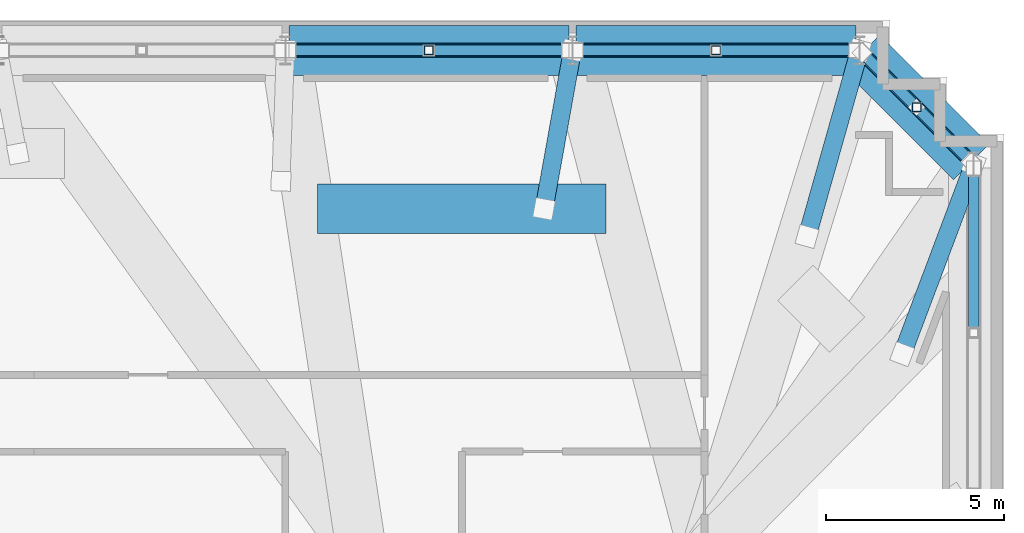
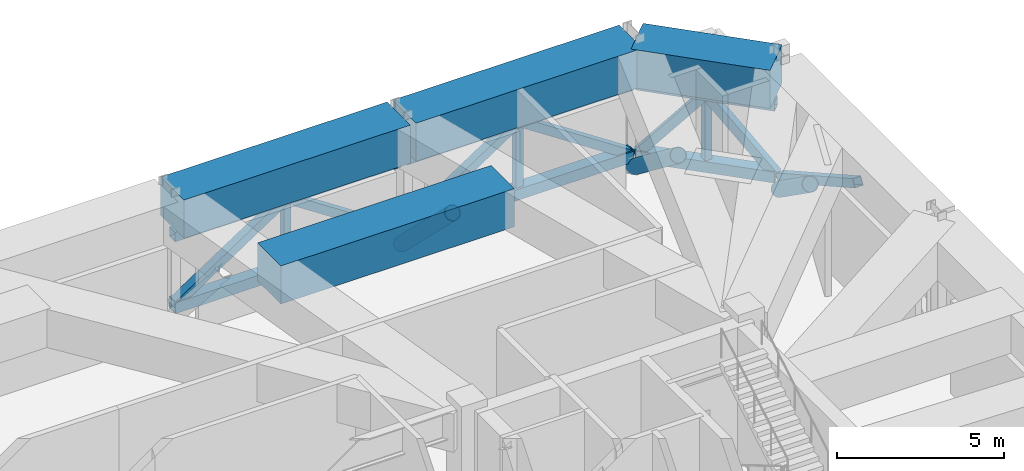
# One storey, part 10 of 18: 19 members, 4 beams.
"""IFC4 building model written with IfcOpenShell, lengths in metres."""

import ifcopenshell
import ifcopenshell.guid

model = None  # the IFC model being written
_history = None  # IfcOwnerHistory: only IFC2X3 demands one
_inside = {}  # id of a spatial element -> (the spatial element, [elements in it])
_under = {}  # id of a project, library or spatial element -> (it, [spatial elements below it])
_declared = {}  # id of a project -> (the project, [libraries it declares])
_typed = {}  # id of a type object -> (the type object, [elements of that type])
_made_of = {}  # id of a material, layer set ... -> (it, [elements and type objects made of it])


def new_model(schema):
    """Start an empty IFC model of exactly this schema.

    Asked for "IFC4X3", IfcOpenShell would pick the latest addendum, in which some entities
    have other attributes; the version numbers below select the first issue.
    IFC2X3 requires an IfcOwnerHistory on every rooted entity: one is made here for all.
    """
    global model, _history
    if schema == "IFC4X3":
        model = ifcopenshell.file(schema_version=(4, 3, 0, 0))
    else:
        model = ifcopenshell.file(schema=schema)
    _inside.clear()
    _under.clear()
    _declared.clear()
    _typed.clear()
    _made_of.clear()
    _history = None
    if model.schema == "IFC2X3":
        org = make("IfcOrganization", Name="unknown")
        user = make(
            "IfcPersonAndOrganization",
            ThePerson=make("IfcPerson", FamilyName="unknown"),
            TheOrganization=org,
        )
        app = make(
            "IfcApplication",
            ApplicationDeveloper=org,
            Version="unknown",
            ApplicationFullName="unknown",
            ApplicationIdentifier="unknown",
        )
        _history = make(
            "IfcOwnerHistory",
            OwningUser=user,
            OwningApplication=app,
            ChangeAction="ADDED",
            CreationDate=0,
        )
    return model


def make(cls, **values):
    """One entity of the class cls with the attributes given. An attribute that is None is left unset."""
    return model.create_entity(
        cls, **{name: value for name, value in values.items() if value is not None}
    )


def rooted(cls, **values):
    """An entity with a GlobalId (a new one), such as an element, a storey or a relation."""
    return make(cls, GlobalId=ifcopenshell.guid.new(), OwnerHistory=_history, **values)


def si_unit(unit_type, name, prefix=None):
    """IfcSIUnit, for example si_unit("LENGTHUNIT", "METRE", prefix="MILLI")."""
    return make("IfcSIUnit", UnitType=unit_type, Prefix=prefix, Name=name)


def assignment(units):
    """IfcUnitAssignment: the units of a project."""
    return None if units is None else make("IfcUnitAssignment", Units=units)


def point(xyz):
    """IfcCartesianPoint."""
    return None if xyz is None else make("IfcCartesianPoint", Coordinates=xyz)


def direction(xyz):
    """IfcDirection."""
    return None if xyz is None else make("IfcDirection", DirectionRatios=xyz)


def frame(location, z_axis=None, x_axis=None):
    """IfcAxis2Placement3D, a coordinate frame: its origin and axes. An axis left out is left unset."""
    return make(
        "IfcAxis2Placement3D",
        Location=point(location),
        Axis=direction(z_axis),
        RefDirection=direction(x_axis),
    )


def frame_2d(location, x_axis=None):
    """IfcAxis2Placement2D, a coordinate frame in the plane: its origin and x axis."""
    return make(
        "IfcAxis2Placement2D", Location=point(location), RefDirection=direction(x_axis)
    )


def origin():
    """The frame at (0, 0, 0) with its axes left unset."""
    return frame((0.0, 0.0, 0.0))


def origin_2d():
    """The frame at (0, 0) in the plane with its x axis left unset."""
    return frame_2d((0.0, 0.0))


def place(relative_to, where):
    """IfcLocalPlacement: puts the frame where relative to a parent placement (None: the world)."""
    return make(
        "IfcLocalPlacement", PlacementRelTo=relative_to, RelativePlacement=where
    )


def context(
    kind, dimensions, precision=None, world=None, true_north=None, identifier=None
):
    """IfcGeometricRepresentationContext, for example the 3D "Model" context."""
    return make(
        "IfcGeometricRepresentationContext",
        ContextIdentifier=identifier,
        ContextType=kind,
        CoordinateSpaceDimension=dimensions,
        Precision=precision,
        WorldCoordinateSystem=world,
        TrueNorth=true_north,
    )


def subcontext(parent, identifier, kind, view, scale=None):
    """IfcGeometricRepresentationSubContext, for example "Body" below "Model"."""
    return make(
        "IfcGeometricRepresentationSubContext",
        ContextIdentifier=identifier,
        ContextType=kind,
        ParentContext=parent,
        TargetScale=scale,
        TargetView=view,
    )


def project(units=None, contexts=None):
    """IfcProject with its units and contexts."""
    return rooted(
        "IfcProject",
        Name="project",
        RepresentationContexts=contexts,
        UnitsInContext=assignment(units),
    )


def spatial(cls, under=None, at=None, **own):
    """A site, building, storey or space (cls), placed at a placement, below another one or the project."""
    s = rooted(cls, ObjectPlacement=at, **own)
    if under is not None:
        _under.setdefault(under.id(), (under, []))[1].append(s)
    return s


def profile(cls, at=None, kind="AREA", **sizes):
    """A parametric profile (cls). Its sizes go by their IFC names, for example OverallWidth=200.0."""
    return make(cls, ProfileType=kind, Position=at, **sizes)


def rectangle(**sizes):
    """IfcRectangleProfileDef."""
    return profile("IfcRectangleProfileDef", **sizes)


def hollow_rectangle(**sizes):
    """IfcRectangleHollowProfileDef."""
    return profile("IfcRectangleHollowProfileDef", **sizes)


def hollow_circle(**sizes):
    """IfcCircleHollowProfileDef."""
    return profile("IfcCircleHollowProfileDef", **sizes)


def extrude(swept, where, along, depth):
    """IfcExtrudedAreaSolid: the profile swept, set in the frame where, extruded along a direction by depth."""
    return make(
        "IfcExtrudedAreaSolid",
        SweptArea=swept,
        Position=where,
        ExtrudedDirection=direction(along),
        Depth=depth,
    )


def shape(context_of_items, identifier, shape_type, items):
    """IfcShapeRepresentation: the items that make up one representation, for example the "Body"."""
    return make(
        "IfcShapeRepresentation",
        ContextOfItems=context_of_items,
        RepresentationIdentifier=identifier,
        RepresentationType=shape_type,
        Items=items,
    )


def material(Name=None, Category=None):
    """IfcMaterial."""
    return make("IfcMaterial", Name=Name, Category=Category)


def material_profile(
    of_material, cross_section, Name=None, Category=None, Priority=None
):
    """IfcMaterialProfile: a cross section and its material."""
    return make(
        "IfcMaterialProfile",
        Name=Name,
        Material=of_material,
        Profile=cross_section,
        Priority=Priority,
        Category=Category,
    )


def profile_set(profiles, Name=None, composite=None):
    """IfcMaterialProfileSet."""
    return make(
        "IfcMaterialProfileSet",
        Name=Name,
        MaterialProfiles=profiles,
        CompositeProfile=composite,
    )


def made_of(thing, what):
    """Note that an element or type object is made of a material, layer set ...; save() writes the relation."""
    if what is not None:
        _made_of.setdefault(what.id(), (what, []))[1].append(thing)
    return thing


def type_object(cls, material=None, **own):
    """A type object (cls), such as IfcWallType, which elements share."""
    return made_of(rooted(cls, **own), material)


def element(
    cls,
    number,
    at=None,
    inside=None,
    cuts=None,
    type_object=None,
    material=None,
    context=None,
    identifier="Body",
    shape_type=None,
    held_by="IfcProductDefinitionShape",
    body=None,
    shapes=None,
    **own,
):
    """One element of the class cls, such as IfcWall. Its Tag is "e" and its number.

    at: its placement. inside: the storey or other place that contains it. cuts: it is an
    opening in that element (IfcRelVoidsElement). A single representation is given by context,
    identifier, shape_type and body (its items); several are given by shapes. held_by: the class
    of the entity that holds the representations. save() writes the other relations.
    """
    e = rooted(cls, Tag="e%d" % number, ObjectPlacement=at, **own)
    if body is not None:
        shapes = [shape(context, identifier, shape_type, body)]
    if shapes is not None:
        e.Representation = make(held_by, Representations=shapes)
    if inside is not None:
        _inside.setdefault(inside.id(), (inside, []))[1].append(e)
    if cuts is not None:
        rooted(
            "IfcRelVoidsElement", RelatingBuildingElement=cuts, RelatedOpeningElement=e
        )
    if type_object is not None:
        _typed.setdefault(type_object.id(), (type_object, []))[1].append(e)
    return made_of(e, material)


def aggregate(whole, parts):
    """IfcRelAggregates: a whole, such as a stair, and the parts it consists of."""
    return rooted("IfcRelAggregates", RelatingObject=whole, RelatedObjects=parts)


def save(model, path):
    """Write the relations noted so far, then the file.

    IfcRelAggregates (storeys below a building ...), IfcRelContainedInSpatialStructure (elements
    in a storey), IfcRelDefinesByType, IfcRelAssociatesMaterial and IfcRelDeclares: one each for
    every whole, place, type object, material and project.
    """
    for whole, parts in _under.values():
        aggregate(whole, parts)
    for where, things in _inside.values():
        rooted(
            "IfcRelContainedInSpatialStructure",
            RelatedElements=things,
            RelatingStructure=where,
        )
    for kind, things in _typed.values():
        rooted("IfcRelDefinesByType", RelatedObjects=things, RelatingType=kind)
    for what, things in _made_of.values():
        rooted("IfcRelAssociatesMaterial", RelatedObjects=things, RelatingMaterial=what)
    for by, libraries in _declared.values():
        rooted("IfcRelDeclares", RelatingContext=by, RelatedDefinitions=libraries)
    model.write(path)


model = new_model("IFC4")

# Units and contexts
model_context = context("Model", 3, precision=1e-05, world=origin(), true_north=direction((0.0, 1.0)))
body_context = subcontext(model_context, "Body", "Model", "MODEL_VIEW")
ifc_project = project(units=[si_unit("LENGTHUNIT", "METRE"), si_unit("AREAUNIT", "SQUARE_METRE"), si_unit("VOLUMEUNIT", "CUBIC_METRE"), si_unit("PLANEANGLEUNIT", "RADIAN"), si_unit("MASSUNIT", "GRAM", prefix="KILO")], contexts=[model_context])

# Site, building, storey
site_placement = place(None, origin())
site = spatial("IfcSite", under=ifc_project, at=site_placement, CompositionType="ELEMENT")
building_placement = place(site_placement, origin())
building = spatial("IfcBuilding", under=site, at=building_placement, Name="Qobustan Lattice House", CompositionType="ELEMENT")
storey_placement = place(building_placement, frame((0.0, 0.0, 174.550048828125)))
storey = spatial("IfcBuildingStorey", under=building, at=storey_placement, Name="L49", CompositionType="ELEMENT", Elevation=174.550048828125)

# Beams
ifc_material_1 = material(Name="Concrete C60/75", Category="concrete")
ifc_material_profile_1 = material_profile(ifc_material_1, rectangle(XDim=1.39990234375, YDim=1.39990234375, at=origin_2d()), Name="RC1400x1400")
ifc_profile_set_1 = profile_set([ifc_material_profile_1], Name="Concrete C60/75")
beam_type = type_object("IfcBeamType", Name="BM-TRG-RC1400", PredefinedType="USERDEFINED", material=ifc_profile_set_1)
beam_1_placement = place(storey_placement, frame((26.279296875, 16.62060546875, 4.119873046875), z_axis=(-0.707106781187, 0.707106781187, 0.0), x_axis=(-0.707106781187, -0.707106781187, 0.0)))
element("IfcBeam", 1, at=beam_1_placement, inside=storey, type_object=beam_type, Name="L49 TT3 lower perimeter transfer girder E4-N1", ObjectType="GIRDER", PredefinedType="USERDEFINED", context=body_context, shape_type="SweptSolid", body=[
    extrude(rectangle(XDim=1.39990234375, YDim=1.39990234375, at=origin_2d()), origin(), (0.0, 0.0, 1.0), 4.325439453125),
])
for number, where, z_axis, x_axis, name in (
    (2, (23.050048828125, 19.75, 4.119873046875), (-1.0, 0.0, 0.0), (0.0, -1.0, 0.0), "L49 TT3 lower perimeter transfer girder N1-N2"),
    (3, (15.0, 19.75, 4.119873046875), (-1.0, 0.0, 0.0), (0.0, -1.0, 0.0), "L49 TT3 lower perimeter transfer girder N2-N3"),
):
    element("IfcBeam", number, at=place(storey_placement, frame(where, z_axis=z_axis, x_axis=x_axis)), inside=storey, type_object=beam_type, Name=name, ObjectType="GIRDER", PredefinedType="USERDEFINED", context=body_context, shape_type="SweptSolid", body=[
        extrude(rectangle(XDim=1.39990234375, YDim=1.39990234375, at=origin_2d()), origin(), (0.0, 0.0, 1.0), 7.85009765625),
    ])
beam_2_placement = place(storey_placement, frame((7.945068359375, 15.3076171875, 4.119873046875), z_axis=(1.0, 0.0, 0.0), x_axis=(0.0, 1.0, 0.0)))
element("IfcBeam", 4, at=beam_2_placement, inside=storey, type_object=beam_type, Name="L49 TT3 primary column transfer girder N2", ObjectType="GIRDER", PredefinedType="USERDEFINED", context=body_context, shape_type="SweptSolid", body=[
    extrude(rectangle(XDim=1.39990234375, YDim=1.39990234375, at=origin_2d()), origin(), (0.0, 0.0, 1.0), 8.096435546875),
])

# Members
ifc_material_2 = material(Name="Steel S355", Category="steel")
ifc_material_profile_2 = material_profile(ifc_material_2, hollow_rectangle(XDim=0.300048828125, YDim=0.300048828125, WallThickness=0.01611328125, at=origin_2d()), Name="SHS300x300x16")
ifc_profile_set_2 = profile_set([ifc_material_profile_2], Name="Steel S355")
member_type_1 = type_object("IfcMemberType", Name="MEM-BRC-SHS300", PredefinedType="BRACE", material=ifc_profile_set_2)
member_1_placement = place(storey_placement, frame((26.35009765625, 11.833251953125, 3.139892578125), z_axis=(0.0, 0.872144001092, -0.489249263013), x_axis=(-1.0, 0.0, 0.0)))
element("IfcMember", 5, at=member_1_placement, inside=storey, type_object=member_type_1, Name="L49 TT3 belt truss web diagonal E3-E4 B", PredefinedType="BRACE", context=body_context, shape_type="SweptSolid", body=[
    extrude(hollow_rectangle(XDim=0.300048828125, YDim=0.300048828125, WallThickness=0.01611328125, at=origin_2d()), origin(), (0.0, 0.0, 1.0), 5.29345703125),
])
for number, where, z_axis, x_axis, name in (
    (6, (26.279296875, 16.62060546875, 0.550048828125), (-0.453241133876, 0.453241133876, 0.767557782272), (-0.707106781187, -0.707106781187, 0.0), "L49 TT3 belt truss web diagonal E4-N1 A"),
    (7, (24.75, 18.14990234375, 3.139892578125), (-0.453241133876, 0.453241133876, -0.767557782272), (-0.707106781187, -0.707106781187, 0.0), "L49 TT3 belt truss web diagonal E4-N1 B"),
):
    element("IfcMember", number, at=place(storey_placement, frame(where, z_axis=z_axis, x_axis=x_axis)), inside=storey, type_object=member_type_1, Name=name, PredefinedType="BRACE", context=body_context, shape_type="SweptSolid", body=[
        extrude(hollow_rectangle(XDim=0.300048828125, YDim=0.300048828125, WallThickness=0.01611328125, at=origin_2d()), origin(), (0.0, 0.0, 1.0), 3.3740234375),
    ])
for number, where, z_axis, x_axis, name in (
    (8, (23.050048828125, 19.75, 0.550048828125), (-0.834676709291, 0.0, 0.550740220946), (0.0, -1.0, 0.0), "L49 TT3 belt truss web diagonal N1-N2 A"),
    (9, (19.125, 19.75, 3.139892578125), (-0.834676709291, 0.0, -0.550740220946), (0.0, -1.0, 0.0), "L49 TT3 belt truss web diagonal N1-N2 B"),
    (10, (15.0, 19.75, 0.550048828125), (-0.834676709291, 0.0, 0.550740220946), (0.0, -1.0, 0.0), "L49 TT3 belt truss web diagonal N2-N3 A"),
    (11, (11.074951171875, 19.75, 3.139892578125), (-0.834676709291, 0.0, -0.550740220946), (0.0, -1.0, 0.0), "L49 TT3 belt truss web diagonal N2-N3 B"),
):
    element("IfcMember", number, at=place(storey_placement, frame(where, z_axis=z_axis, x_axis=x_axis)), inside=storey, type_object=member_type_1, Name=name, PredefinedType="BRACE", context=body_context, shape_type="SweptSolid", body=[
        extrude(hollow_rectangle(XDim=0.300048828125, YDim=0.300048828125, WallThickness=0.01611328125, at=origin_2d()), origin(), (0.0, 0.0, 1.0), 4.702392578125),
    ])
ifc_material_3 = material(Name="Steel S355", Category="steel")
ifc_material_profile_3 = material_profile(ifc_material_3, hollow_rectangle(XDim=0.35009765625, YDim=0.35009765625, WallThickness=0.01611328125, at=origin_2d()), Name="SHS350x350x16")
ifc_profile_set_3 = profile_set([ifc_material_profile_3], Name="Steel S355")
member_type_2 = type_object("IfcMemberType", Name="MEM-CHD-SHS350", PredefinedType="CHORD", material=ifc_profile_set_3)
member_2_placement = place(storey_placement, frame((26.279296875, 16.62060546875, 3.139892578125), z_axis=(-0.707106781187, 0.707106781187, 0.0), x_axis=(-0.707106781187, -0.707106781187, 0.0)))
element("IfcMember", 12, at=member_2_placement, inside=storey, type_object=member_type_2, Name="L49 TT3 belt truss top chord E4-N1", PredefinedType="CHORD", context=body_context, shape_type="SweptSolid", body=[
    extrude(hollow_rectangle(XDim=0.35009765625, YDim=0.35009765625, WallThickness=0.01611328125, at=origin_2d()), origin(), (0.0, 0.0, 1.0), 4.325439453125),
])
for number, where, z_axis, x_axis, name in (
    (13, (23.050048828125, 19.75, 3.139892578125), (-1.0, 0.0, 0.0), (0.0, -1.0, 0.0), "L49 TT3 belt truss top chord N1-N2"),
    (14, (15.0, 19.75, 3.139892578125), (-1.0, 0.0, 0.0), (0.0, -1.0, 0.0), "L49 TT3 belt truss top chord N2-N3"),
):
    element("IfcMember", number, at=place(storey_placement, frame(where, z_axis=z_axis, x_axis=x_axis)), inside=storey, type_object=member_type_2, Name=name, PredefinedType="CHORD", context=body_context, shape_type="SweptSolid", body=[
        extrude(hollow_rectangle(XDim=0.35009765625, YDim=0.35009765625, WallThickness=0.01611328125, at=origin_2d()), origin(), (0.0, 0.0, 1.0), 7.85009765625),
    ])
ifc_material_4 = material(Name="Steel S355", Category="steel")
ifc_material_profile_4 = material_profile(ifc_material_4, hollow_rectangle(XDim=0.39990234375, YDim=0.39990234375, WallThickness=0.02001953125, at=origin_2d()), Name="SHS400x400x20")
ifc_profile_set_4 = profile_set([ifc_material_profile_4], Name="Steel S355")
member_type_3 = type_object("IfcMemberType", Name="MEM-CHD-SHS400", PredefinedType="CHORD", material=ifc_profile_set_4)
member_3_placement = place(storey_placement, frame((26.279296875, 16.62060546875, 0.550048828125), z_axis=(-0.707106781187, 0.707106781187, 0.0), x_axis=(-0.707106781187, -0.707106781187, 0.0)))
element("IfcMember", 15, at=member_3_placement, inside=storey, type_object=member_type_3, Name="L49 TT3 belt truss bottom chord E4-N1", PredefinedType="CHORD", context=body_context, shape_type="SweptSolid", body=[
    extrude(hollow_rectangle(XDim=0.39990234375, YDim=0.39990234375, WallThickness=0.02001953125, at=origin_2d()), origin(), (0.0, 0.0, 1.0), 4.325439453125),
])
for number, where, z_axis, x_axis, name in (
    (16, (23.050048828125, 19.75, 0.550048828125), (-1.0, 0.0, 0.0), (0.0, -1.0, 0.0), "L49 TT3 belt truss bottom chord N1-N2"),
    (17, (15.0, 19.75, 0.550048828125), (-1.0, 0.0, 0.0), (0.0, -1.0, 0.0), "L49 TT3 belt truss bottom chord N2-N3"),
):
    element("IfcMember", number, at=place(storey_placement, frame(where, z_axis=z_axis, x_axis=x_axis)), inside=storey, type_object=member_type_3, Name=name, PredefinedType="CHORD", context=body_context, shape_type="SweptSolid", body=[
        extrude(hollow_rectangle(XDim=0.39990234375, YDim=0.39990234375, WallThickness=0.02001953125, at=origin_2d()), origin(), (0.0, 0.0, 1.0), 7.85009765625),
    ])
ifc_material_5 = material(Name="Steel S355", Category="steel")
ifc_material_profile_5 = material_profile(ifc_material_5, hollow_rectangle(XDim=0.25, YDim=0.25, WallThickness=0.012451171875, at=origin_2d()), Name="SHS250x250x12.5")
ifc_profile_set_5 = profile_set([ifc_material_profile_5], Name="Steel S355")
member_type_4 = type_object("IfcMemberType", Name="MEM-PST-SHS250", PredefinedType="POST", material=ifc_profile_set_5)
for number, where, z_axis, x_axis, name in (
    (18, (24.75, 18.14990234375, 0.550048828125), (0.0, 0.0, 1.0), (1.0, 0.0, 0.0), "L49 TT3 belt truss vertical post E4-N1"),
    (19, (19.125, 19.75, 0.550048828125), (0.0, 0.0, 1.0), (1.0, 0.0, 0.0), "L49 TT3 belt truss vertical post N1-N2"),
    (20, (11.074951171875, 19.75, 0.550048828125), (0.0, 0.0, 1.0), (1.0, 0.0, 0.0), "L49 TT3 belt truss vertical post N2-N3"),
):
    element("IfcMember", number, at=place(storey_placement, frame(where, z_axis=z_axis, x_axis=x_axis)), inside=storey, type_object=member_type_4, Name=name, PredefinedType="POST", context=body_context, shape_type="SweptSolid", body=[
        extrude(hollow_rectangle(XDim=0.25, YDim=0.25, WallThickness=0.012451171875, at=origin_2d()), origin(), (0.0, 0.0, 1.0), 2.58984375),
    ])
ifc_material_6 = material(Name="Steel S355", Category="steel")
ifc_material_profile_6 = material_profile(ifc_material_6, hollow_circle(Radius=0.25390625, WallThickness=0.02001953125, at=origin_2d()), Name="CHS508x20")
ifc_profile_set_6 = profile_set([ifc_material_profile_6], Name="Steel S355")
member_type_5 = type_object("IfcMemberType", Name="MEM-STR-CHS508", PredefinedType="STRUT", material=ifc_profile_set_6)
member_4_placement = place(storey_placement, frame((26.35009765625, 16.550048828125, 0.014892578125), z_axis=(-0.285592287686, -0.758455350815, 0.585817826662), x_axis=(0.935853072375, -0.352390446702, 0.0)))
element("IfcMember", 21, at=member_4_placement, inside=storey, type_object=member_type_5, Name="L49 TT3 column transfer strut E4", PredefinedType="STRUT", context=body_context, shape_type="SweptSolid", body=[
    extrude(hollow_circle(Radius=0.25390625, WallThickness=0.02001953125, at=origin_2d()), origin(), (0.0, 0.0, 1.0), 7.00732421875),
])
member_5_placement = place(storey_placement, frame((23.14990234375, 19.75, 0.014892578125), z_axis=(-0.216322411798, -0.767307263491, 0.603692121489), x_axis=(0.962481650379, -0.271346775702, 0.0)))
element("IfcMember", 22, at=member_5_placement, inside=storey, type_object=member_type_5, Name="L49 TT3 column transfer strut N1", PredefinedType="STRUT", context=body_context, shape_type="SweptSolid", body=[
    extrude(hollow_circle(Radius=0.25390625, WallThickness=0.02001953125, at=origin_2d()), origin(), (0.0, 0.0, 1.0), 6.7998046875),
])
member_6_placement = place(storey_placement, frame((15.10009765625, 19.75, 0.014892578125), z_axis=(-0.130655907918, -0.72815157748, 0.672847912934), x_axis=(0.984280129396, -0.176614345047, 0.0)))
element("IfcMember", 23, at=member_6_placement, inside=storey, type_object=member_type_5, Name="L49 TT3 column transfer strut N2", PredefinedType="STRUT", context=body_context, shape_type="SweptSolid", body=[
    extrude(hollow_circle(Radius=0.25390625, WallThickness=0.02001953125, at=origin_2d()), origin(), (0.0, 0.0, 1.0), 6.100830078125),
])

save(model, "model.ifc")
